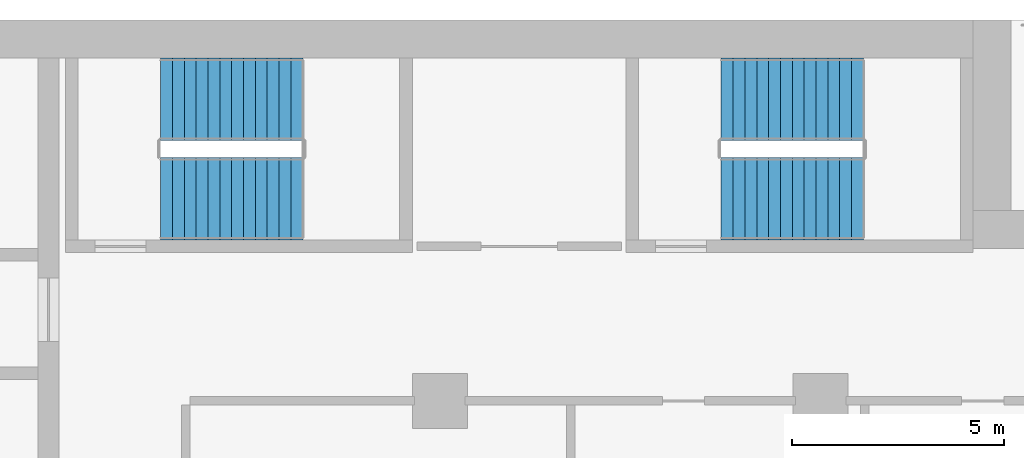
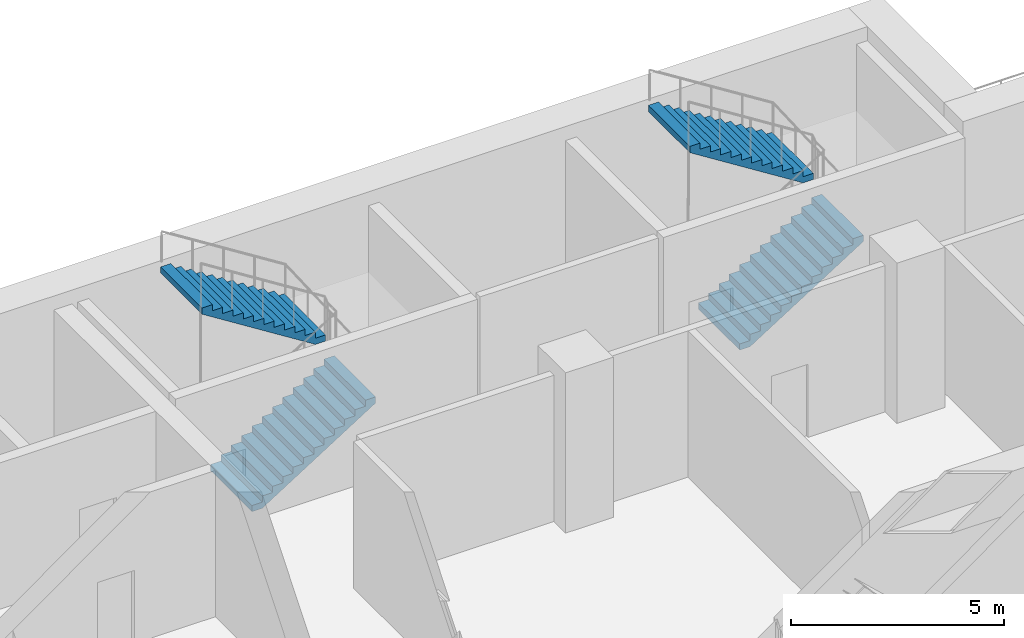
# One storey, part 15 of 22: 4 stair flights, 2 elements without a shape of their own.
"""IFC4 building model written with IfcOpenShell, lengths in metres."""

from ifc_helpers import new_model, si_unit, direction, frame, origin, place, context, subcontext, project, spatial, polyline, outline, extrude, material, type_object, element, aggregate, save


model = new_model("IFC4")

# Units and contexts
model_context = context("Model", 3, precision=1e-05, world=origin(), true_north=direction((0.0, 1.0)))
body_context = subcontext(model_context, "Body", "Model", "MODEL_VIEW")
ifc_project = project(units=[si_unit("LENGTHUNIT", "METRE"), si_unit("AREAUNIT", "SQUARE_METRE"), si_unit("VOLUMEUNIT", "CUBIC_METRE"), si_unit("PLANEANGLEUNIT", "RADIAN"), si_unit("MASSUNIT", "GRAM", prefix="KILO")], contexts=[model_context])

# Site, building, storey
site_placement = place(None, origin())
site = spatial("IfcSite", under=ifc_project, at=site_placement, CompositionType="ELEMENT")
building_placement = place(site_placement, origin())
building = spatial("IfcBuilding", under=site, at=building_placement, Name="Hunhe Ridgeline Campus", CompositionType="ELEMENT")
storey_placement = place(building_placement, frame((0.0, 0.0, 129.199951171875)))
storey = spatial("IfcBuildingStorey", under=building, at=storey_placement, Name="L32", CompositionType="ELEMENT", Elevation=129.199951171875)

# Stair, stair flights
ifc_material = material(Name="Concrete C40", Category="concrete")
stair_type = type_object("IfcStairType", Name="Reinforced concrete dog-leg stair 1950 Concrete C40", PredefinedType="HALF_TURN_STAIR", material=ifc_material)
stair_1_placement = place(storey_placement, origin())
stair_1 = element("IfcStair", 1, at=stair_1_placement, inside=storey, type_object=stair_type, Name="L32 E1", PredefinedType="HALF_TURN_STAIR")
stair_flight_type = type_object("IfcStairFlightType", Name="Reinforced concrete stair flight 1950 Concrete C40", PredefinedType="STRAIGHT", material=ifc_material)
stair_flight_1_placement = place(storey_placement, frame((38.39990234375, 94.77490234375, 0.0), z_axis=(0.0, 0.0, 1.0), x_axis=(1.0, 0.0, 0.0)))
stair_flight_1 = element("IfcStairFlight", 2, at=stair_flight_1_placement, type_object=stair_flight_type, Name="ST5 flight 1", NumberOfRisers=13, NumberOfTreads=12, PredefinedType="STRAIGHT", RiserHeight=0.176923077, TreadLength=0.28, context=body_context, shape_type="SweptSolid", body=[
    extrude(outline(polyline([(0.0, 0.0), (0.0, 0.177001953125), (0.280029296875, 0.177001953125), (0.280029296875, 0.353759765625), (0.56005859375, 0.353759765625), (0.56005859375, 0.53076171875), (0.840087890625, 0.53076171875), (0.840087890625, 0.707763671875), (1.1201171875, 0.707763671875), (1.1201171875, 0.884521484375), (1.39990234375, 0.884521484375), (1.39990234375, 1.0615234375), (1.679931640625, 1.0615234375), (1.679931640625, 1.238525390625), (1.9599609375, 1.238525390625), (1.9599609375, 1.415283203125), (2.239990234375, 1.415283203125), (2.239990234375, 1.59228515625), (2.52001953125, 1.59228515625), (2.52001953125, 1.769287109375), (2.800048828125, 1.769287109375), (2.800048828125, 1.946044921875), (3.080078125, 1.946044921875), (3.080078125, 2.123046875), (3.360107421875, 2.123046875), (3.360107421875, 2.300048828125), (3.360107421875, 1.94580078125), (0.280517578125, 0.0), (0.0, 0.0)])), frame((0.0, 0.97509765625, 0.0), z_axis=(0.0, -1.0, 0.0), x_axis=(1.0, 0.0, 0.0)), (0.0, 0.0, 1.0), 1.949951171875),
    extrude(outline(polyline([(0.030029296875, 0.030029296875), (0.030029296875, 0.14697265625), (0.31005859375, 0.14697265625), (0.31005859375, 0.32373046875), (0.590087890625, 0.32373046875), (0.590087890625, 0.500732421875), (0.8701171875, 0.500732421875), (0.8701171875, 0.677734375), (1.14990234375, 0.677734375), (1.14990234375, 0.8544921875), (1.429931640625, 0.8544921875), (1.429931640625, 1.031494140625), (1.7099609375, 1.031494140625), (1.7099609375, 1.20849609375), (1.989990234375, 1.20849609375), (1.989990234375, 1.385498046875), (2.27001953125, 1.385498046875), (2.27001953125, 1.562255859375), (2.550048828125, 1.562255859375), (2.550048828125, 1.7392578125), (2.830078125, 1.7392578125), (2.830078125, 1.916259765625), (3.110107421875, 1.916259765625), (3.110107421875, 2.093017578125), (3.330078125, 2.093017578125), (3.330078125, 1.96240234375), (0.27197265625, 0.030029296875), (0.030029296875, 0.030029296875)])), frame((0.0, -0.070068359375, 0.0), z_axis=(0.0, -1.0, 0.0), x_axis=(1.0, 0.0, 0.0)), (0.0, 0.0, 1.0), 0.019775390625),
    extrude(outline(polyline([(0.030029296875, 0.030029296875), (0.030029296875, 0.14697265625), (0.31005859375, 0.14697265625), (0.31005859375, 0.32373046875), (0.590087890625, 0.32373046875), (0.590087890625, 0.500732421875), (0.8701171875, 0.500732421875), (0.8701171875, 0.677734375), (1.14990234375, 0.677734375), (1.14990234375, 0.8544921875), (1.429931640625, 0.8544921875), (1.429931640625, 1.031494140625), (1.7099609375, 1.031494140625), (1.7099609375, 1.20849609375), (1.989990234375, 1.20849609375), (1.989990234375, 1.385498046875), (2.27001953125, 1.385498046875), (2.27001953125, 1.562255859375), (2.550048828125, 1.562255859375), (2.550048828125, 1.7392578125), (2.830078125, 1.7392578125), (2.830078125, 1.916259765625), (3.110107421875, 1.916259765625), (3.110107421875, 2.093017578125), (3.330078125, 2.093017578125), (3.330078125, 1.96240234375), (0.27197265625, 0.030029296875), (0.030029296875, 0.030029296875)])), frame((0.0, 0.010009765625, 0.0), z_axis=(0.0, -1.0, 0.0), x_axis=(1.0, 0.0, 0.0)), (0.0, 0.0, 1.0), 0.019775390625),
    extrude(outline(polyline([(0.030029296875, 0.030029296875), (0.030029296875, 0.14697265625), (0.31005859375, 0.14697265625), (0.31005859375, 0.32373046875), (0.590087890625, 0.32373046875), (0.590087890625, 0.500732421875), (0.8701171875, 0.500732421875), (0.8701171875, 0.677734375), (1.14990234375, 0.677734375), (1.14990234375, 0.8544921875), (1.429931640625, 0.8544921875), (1.429931640625, 1.031494140625), (1.7099609375, 1.031494140625), (1.7099609375, 1.20849609375), (1.989990234375, 1.20849609375), (1.989990234375, 1.385498046875), (2.27001953125, 1.385498046875), (2.27001953125, 1.562255859375), (2.550048828125, 1.562255859375), (2.550048828125, 1.7392578125), (2.830078125, 1.7392578125), (2.830078125, 1.916259765625), (3.110107421875, 1.916259765625), (3.110107421875, 2.093017578125), (3.330078125, 2.093017578125), (3.330078125, 1.96240234375), (0.27197265625, 0.030029296875), (0.030029296875, 0.030029296875)])), frame((0.0, 0.090087890625, 0.0), z_axis=(0.0, -1.0, 0.0), x_axis=(1.0, 0.0, 0.0)), (0.0, 0.0, 1.0), 0.019775390625),
])
stair_flight_2_placement = place(storey_placement, frame((41.760009765625, 97.125, 2.300048828125), z_axis=(0.0, 0.0, 1.0), x_axis=(-1.0, 0.0, 0.0)))
stair_flight_2 = element("IfcStairFlight", 3, at=stair_flight_2_placement, type_object=stair_flight_type, Name="ST5 flight 2", NumberOfRisers=13, NumberOfTreads=12, PredefinedType="STRAIGHT", RiserHeight=0.176923077, TreadLength=0.28, context=body_context, shape_type="SweptSolid", body=[
    extrude(outline(polyline([(0.0, 0.0), (0.0, 0.177001953125), (0.280029296875, 0.177001953125), (0.280029296875, 0.353759765625), (0.56005859375, 0.353759765625), (0.56005859375, 0.53076171875), (0.840087890625, 0.53076171875), (0.840087890625, 0.707763671875), (1.1201171875, 0.707763671875), (1.1201171875, 0.884521484375), (1.39990234375, 0.884521484375), (1.39990234375, 1.0615234375), (1.679931640625, 1.0615234375), (1.679931640625, 1.238525390625), (1.9599609375, 1.238525390625), (1.9599609375, 1.415283203125), (2.239990234375, 1.415283203125), (2.239990234375, 1.59228515625), (2.52001953125, 1.59228515625), (2.52001953125, 1.769287109375), (2.800048828125, 1.769287109375), (2.800048828125, 1.946044921875), (3.080078125, 1.946044921875), (3.080078125, 2.123046875), (3.360107421875, 2.123046875), (3.360107421875, 2.300048828125), (3.360107421875, 1.94580078125), (0.280517578125, 0.0), (0.0, 0.0)])), frame((0.0, 0.97509765625, 0.0), z_axis=(0.0, -1.0, 0.0), x_axis=(1.0, 0.0, 0.0)), (0.0, 0.0, 1.0), 1.949951171875),
    extrude(outline(polyline([(0.030029296875, 0.030029296875), (0.030029296875, 0.14697265625), (0.31005859375, 0.14697265625), (0.31005859375, 0.32373046875), (0.590087890625, 0.32373046875), (0.590087890625, 0.500732421875), (0.8701171875, 0.500732421875), (0.8701171875, 0.677734375), (1.14990234375, 0.677734375), (1.14990234375, 0.8544921875), (1.429931640625, 0.8544921875), (1.429931640625, 1.031494140625), (1.7099609375, 1.031494140625), (1.7099609375, 1.20849609375), (1.989990234375, 1.20849609375), (1.989990234375, 1.385498046875), (2.27001953125, 1.385498046875), (2.27001953125, 1.562255859375), (2.550048828125, 1.562255859375), (2.550048828125, 1.7392578125), (2.830078125, 1.7392578125), (2.830078125, 1.916259765625), (3.110107421875, 1.916259765625), (3.110107421875, 2.093017578125), (3.330078125, 2.093017578125), (3.330078125, 1.96240234375), (0.27197265625, 0.030029296875), (0.030029296875, 0.030029296875)])), frame((0.0, -0.070068359375, 0.0), z_axis=(0.0, -1.0, 0.0), x_axis=(1.0, 0.0, 0.0)), (0.0, 0.0, 1.0), 0.019775390625),
    extrude(outline(polyline([(0.030029296875, 0.030029296875), (0.030029296875, 0.14697265625), (0.31005859375, 0.14697265625), (0.31005859375, 0.32373046875), (0.590087890625, 0.32373046875), (0.590087890625, 0.500732421875), (0.8701171875, 0.500732421875), (0.8701171875, 0.677734375), (1.14990234375, 0.677734375), (1.14990234375, 0.8544921875), (1.429931640625, 0.8544921875), (1.429931640625, 1.031494140625), (1.7099609375, 1.031494140625), (1.7099609375, 1.20849609375), (1.989990234375, 1.20849609375), (1.989990234375, 1.385498046875), (2.27001953125, 1.385498046875), (2.27001953125, 1.562255859375), (2.550048828125, 1.562255859375), (2.550048828125, 1.7392578125), (2.830078125, 1.7392578125), (2.830078125, 1.916259765625), (3.110107421875, 1.916259765625), (3.110107421875, 2.093017578125), (3.330078125, 2.093017578125), (3.330078125, 1.96240234375), (0.27197265625, 0.030029296875), (0.030029296875, 0.030029296875)])), frame((0.0, 0.010009765625, 0.0), z_axis=(0.0, -1.0, 0.0), x_axis=(1.0, 0.0, 0.0)), (0.0, 0.0, 1.0), 0.019775390625),
    extrude(outline(polyline([(0.030029296875, 0.030029296875), (0.030029296875, 0.14697265625), (0.31005859375, 0.14697265625), (0.31005859375, 0.32373046875), (0.590087890625, 0.32373046875), (0.590087890625, 0.500732421875), (0.8701171875, 0.500732421875), (0.8701171875, 0.677734375), (1.14990234375, 0.677734375), (1.14990234375, 0.8544921875), (1.429931640625, 0.8544921875), (1.429931640625, 1.031494140625), (1.7099609375, 1.031494140625), (1.7099609375, 1.20849609375), (1.989990234375, 1.20849609375), (1.989990234375, 1.385498046875), (2.27001953125, 1.385498046875), (2.27001953125, 1.562255859375), (2.550048828125, 1.562255859375), (2.550048828125, 1.7392578125), (2.830078125, 1.7392578125), (2.830078125, 1.916259765625), (3.110107421875, 1.916259765625), (3.110107421875, 2.093017578125), (3.330078125, 2.093017578125), (3.330078125, 1.96240234375), (0.27197265625, 0.030029296875), (0.030029296875, 0.030029296875)])), frame((0.0, 0.090087890625, 0.0), z_axis=(0.0, -1.0, 0.0), x_axis=(1.0, 0.0, 0.0)), (0.0, 0.0, 1.0), 0.019775390625),
])
aggregate(stair_1, [stair_flight_1, stair_flight_2])

stair_2_placement = place(storey_placement, origin())
stair_2 = element("IfcStair", 4, at=stair_2_placement, inside=storey, type_object=stair_type, Name="L32 E2", PredefinedType="HALF_TURN_STAIR")
stair_flight_3_placement = place(storey_placement, frame((51.64990234375, 94.77490234375, 0.0), z_axis=(0.0, 0.0, 1.0), x_axis=(1.0, 0.0, 0.0)))
stair_flight_3 = element("IfcStairFlight", 5, at=stair_flight_3_placement, type_object=stair_flight_type, Name="ST6 flight 1", NumberOfRisers=13, NumberOfTreads=12, PredefinedType="STRAIGHT", RiserHeight=0.176923077, TreadLength=0.28, context=body_context, shape_type="SweptSolid", body=[
    extrude(outline(polyline([(0.0, 0.0), (0.0, 0.177001953125), (0.280029296875, 0.177001953125), (0.280029296875, 0.353759765625), (0.56005859375, 0.353759765625), (0.56005859375, 0.53076171875), (0.840087890625, 0.53076171875), (0.840087890625, 0.707763671875), (1.1201171875, 0.707763671875), (1.1201171875, 0.884521484375), (1.39990234375, 0.884521484375), (1.39990234375, 1.0615234375), (1.679931640625, 1.0615234375), (1.679931640625, 1.238525390625), (1.9599609375, 1.238525390625), (1.9599609375, 1.415283203125), (2.239990234375, 1.415283203125), (2.239990234375, 1.59228515625), (2.52001953125, 1.59228515625), (2.52001953125, 1.769287109375), (2.800048828125, 1.769287109375), (2.800048828125, 1.946044921875), (3.080078125, 1.946044921875), (3.080078125, 2.123046875), (3.360107421875, 2.123046875), (3.360107421875, 2.300048828125), (3.360107421875, 1.94580078125), (0.280517578125, 0.0), (0.0, 0.0)])), frame((0.0, 0.97509765625, 0.0), z_axis=(0.0, -1.0, 0.0), x_axis=(1.0, 0.0, 0.0)), (0.0, 0.0, 1.0), 1.949951171875),
    extrude(outline(polyline([(0.030029296875, 0.030029296875), (0.030029296875, 0.14697265625), (0.31005859375, 0.14697265625), (0.31005859375, 0.32373046875), (0.590087890625, 0.32373046875), (0.590087890625, 0.500732421875), (0.8701171875, 0.500732421875), (0.8701171875, 0.677734375), (1.14990234375, 0.677734375), (1.14990234375, 0.8544921875), (1.429931640625, 0.8544921875), (1.429931640625, 1.031494140625), (1.7099609375, 1.031494140625), (1.7099609375, 1.20849609375), (1.989990234375, 1.20849609375), (1.989990234375, 1.385498046875), (2.27001953125, 1.385498046875), (2.27001953125, 1.562255859375), (2.550048828125, 1.562255859375), (2.550048828125, 1.7392578125), (2.830078125, 1.7392578125), (2.830078125, 1.916259765625), (3.110107421875, 1.916259765625), (3.110107421875, 2.093017578125), (3.330078125, 2.093017578125), (3.330078125, 1.96240234375), (0.27197265625, 0.030029296875), (0.030029296875, 0.030029296875)])), frame((0.0, -0.070068359375, 0.0), z_axis=(0.0, -1.0, 0.0), x_axis=(1.0, 0.0, 0.0)), (0.0, 0.0, 1.0), 0.019775390625),
    extrude(outline(polyline([(0.030029296875, 0.030029296875), (0.030029296875, 0.14697265625), (0.31005859375, 0.14697265625), (0.31005859375, 0.32373046875), (0.590087890625, 0.32373046875), (0.590087890625, 0.500732421875), (0.8701171875, 0.500732421875), (0.8701171875, 0.677734375), (1.14990234375, 0.677734375), (1.14990234375, 0.8544921875), (1.429931640625, 0.8544921875), (1.429931640625, 1.031494140625), (1.7099609375, 1.031494140625), (1.7099609375, 1.20849609375), (1.989990234375, 1.20849609375), (1.989990234375, 1.385498046875), (2.27001953125, 1.385498046875), (2.27001953125, 1.562255859375), (2.550048828125, 1.562255859375), (2.550048828125, 1.7392578125), (2.830078125, 1.7392578125), (2.830078125, 1.916259765625), (3.110107421875, 1.916259765625), (3.110107421875, 2.093017578125), (3.330078125, 2.093017578125), (3.330078125, 1.96240234375), (0.27197265625, 0.030029296875), (0.030029296875, 0.030029296875)])), frame((0.0, 0.010009765625, 0.0), z_axis=(0.0, -1.0, 0.0), x_axis=(1.0, 0.0, 0.0)), (0.0, 0.0, 1.0), 0.019775390625),
    extrude(outline(polyline([(0.030029296875, 0.030029296875), (0.030029296875, 0.14697265625), (0.31005859375, 0.14697265625), (0.31005859375, 0.32373046875), (0.590087890625, 0.32373046875), (0.590087890625, 0.500732421875), (0.8701171875, 0.500732421875), (0.8701171875, 0.677734375), (1.14990234375, 0.677734375), (1.14990234375, 0.8544921875), (1.429931640625, 0.8544921875), (1.429931640625, 1.031494140625), (1.7099609375, 1.031494140625), (1.7099609375, 1.20849609375), (1.989990234375, 1.20849609375), (1.989990234375, 1.385498046875), (2.27001953125, 1.385498046875), (2.27001953125, 1.562255859375), (2.550048828125, 1.562255859375), (2.550048828125, 1.7392578125), (2.830078125, 1.7392578125), (2.830078125, 1.916259765625), (3.110107421875, 1.916259765625), (3.110107421875, 2.093017578125), (3.330078125, 2.093017578125), (3.330078125, 1.96240234375), (0.27197265625, 0.030029296875), (0.030029296875, 0.030029296875)])), frame((0.0, 0.090087890625, 0.0), z_axis=(0.0, -1.0, 0.0), x_axis=(1.0, 0.0, 0.0)), (0.0, 0.0, 1.0), 0.019775390625),
])
stair_flight_4_placement = place(storey_placement, frame((55.010009765625, 97.125, 2.300048828125), z_axis=(0.0, 0.0, 1.0), x_axis=(-1.0, 0.0, 0.0)))
stair_flight_4 = element("IfcStairFlight", 6, at=stair_flight_4_placement, type_object=stair_flight_type, Name="ST6 flight 2", NumberOfRisers=13, NumberOfTreads=12, PredefinedType="STRAIGHT", RiserHeight=0.176923077, TreadLength=0.28, context=body_context, shape_type="SweptSolid", body=[
    extrude(outline(polyline([(0.0, 0.0), (0.0, 0.177001953125), (0.280029296875, 0.177001953125), (0.280029296875, 0.353759765625), (0.56005859375, 0.353759765625), (0.56005859375, 0.53076171875), (0.840087890625, 0.53076171875), (0.840087890625, 0.707763671875), (1.1201171875, 0.707763671875), (1.1201171875, 0.884521484375), (1.39990234375, 0.884521484375), (1.39990234375, 1.0615234375), (1.679931640625, 1.0615234375), (1.679931640625, 1.238525390625), (1.9599609375, 1.238525390625), (1.9599609375, 1.415283203125), (2.239990234375, 1.415283203125), (2.239990234375, 1.59228515625), (2.52001953125, 1.59228515625), (2.52001953125, 1.769287109375), (2.800048828125, 1.769287109375), (2.800048828125, 1.946044921875), (3.080078125, 1.946044921875), (3.080078125, 2.123046875), (3.360107421875, 2.123046875), (3.360107421875, 2.300048828125), (3.360107421875, 1.94580078125), (0.280517578125, 0.0), (0.0, 0.0)])), frame((0.0, 0.97509765625, 0.0), z_axis=(0.0, -1.0, 0.0), x_axis=(1.0, 0.0, 0.0)), (0.0, 0.0, 1.0), 1.949951171875),
    extrude(outline(polyline([(0.030029296875, 0.030029296875), (0.030029296875, 0.14697265625), (0.31005859375, 0.14697265625), (0.31005859375, 0.32373046875), (0.590087890625, 0.32373046875), (0.590087890625, 0.500732421875), (0.8701171875, 0.500732421875), (0.8701171875, 0.677734375), (1.14990234375, 0.677734375), (1.14990234375, 0.8544921875), (1.429931640625, 0.8544921875), (1.429931640625, 1.031494140625), (1.7099609375, 1.031494140625), (1.7099609375, 1.20849609375), (1.989990234375, 1.20849609375), (1.989990234375, 1.385498046875), (2.27001953125, 1.385498046875), (2.27001953125, 1.562255859375), (2.550048828125, 1.562255859375), (2.550048828125, 1.7392578125), (2.830078125, 1.7392578125), (2.830078125, 1.916259765625), (3.110107421875, 1.916259765625), (3.110107421875, 2.093017578125), (3.330078125, 2.093017578125), (3.330078125, 1.96240234375), (0.27197265625, 0.030029296875), (0.030029296875, 0.030029296875)])), frame((0.0, -0.070068359375, 0.0), z_axis=(0.0, -1.0, 0.0), x_axis=(1.0, 0.0, 0.0)), (0.0, 0.0, 1.0), 0.019775390625),
    extrude(outline(polyline([(0.030029296875, 0.030029296875), (0.030029296875, 0.14697265625), (0.31005859375, 0.14697265625), (0.31005859375, 0.32373046875), (0.590087890625, 0.32373046875), (0.590087890625, 0.500732421875), (0.8701171875, 0.500732421875), (0.8701171875, 0.677734375), (1.14990234375, 0.677734375), (1.14990234375, 0.8544921875), (1.429931640625, 0.8544921875), (1.429931640625, 1.031494140625), (1.7099609375, 1.031494140625), (1.7099609375, 1.20849609375), (1.989990234375, 1.20849609375), (1.989990234375, 1.385498046875), (2.27001953125, 1.385498046875), (2.27001953125, 1.562255859375), (2.550048828125, 1.562255859375), (2.550048828125, 1.7392578125), (2.830078125, 1.7392578125), (2.830078125, 1.916259765625), (3.110107421875, 1.916259765625), (3.110107421875, 2.093017578125), (3.330078125, 2.093017578125), (3.330078125, 1.96240234375), (0.27197265625, 0.030029296875), (0.030029296875, 0.030029296875)])), frame((0.0, 0.010009765625, 0.0), z_axis=(0.0, -1.0, 0.0), x_axis=(1.0, 0.0, 0.0)), (0.0, 0.0, 1.0), 0.019775390625),
    extrude(outline(polyline([(0.030029296875, 0.030029296875), (0.030029296875, 0.14697265625), (0.31005859375, 0.14697265625), (0.31005859375, 0.32373046875), (0.590087890625, 0.32373046875), (0.590087890625, 0.500732421875), (0.8701171875, 0.500732421875), (0.8701171875, 0.677734375), (1.14990234375, 0.677734375), (1.14990234375, 0.8544921875), (1.429931640625, 0.8544921875), (1.429931640625, 1.031494140625), (1.7099609375, 1.031494140625), (1.7099609375, 1.20849609375), (1.989990234375, 1.20849609375), (1.989990234375, 1.385498046875), (2.27001953125, 1.385498046875), (2.27001953125, 1.562255859375), (2.550048828125, 1.562255859375), (2.550048828125, 1.7392578125), (2.830078125, 1.7392578125), (2.830078125, 1.916259765625), (3.110107421875, 1.916259765625), (3.110107421875, 2.093017578125), (3.330078125, 2.093017578125), (3.330078125, 1.96240234375), (0.27197265625, 0.030029296875), (0.030029296875, 0.030029296875)])), frame((0.0, 0.090087890625, 0.0), z_axis=(0.0, -1.0, 0.0), x_axis=(1.0, 0.0, 0.0)), (0.0, 0.0, 1.0), 0.019775390625),
])
aggregate(stair_2, [stair_flight_3, stair_flight_4])

save(model, "model.ifc")
